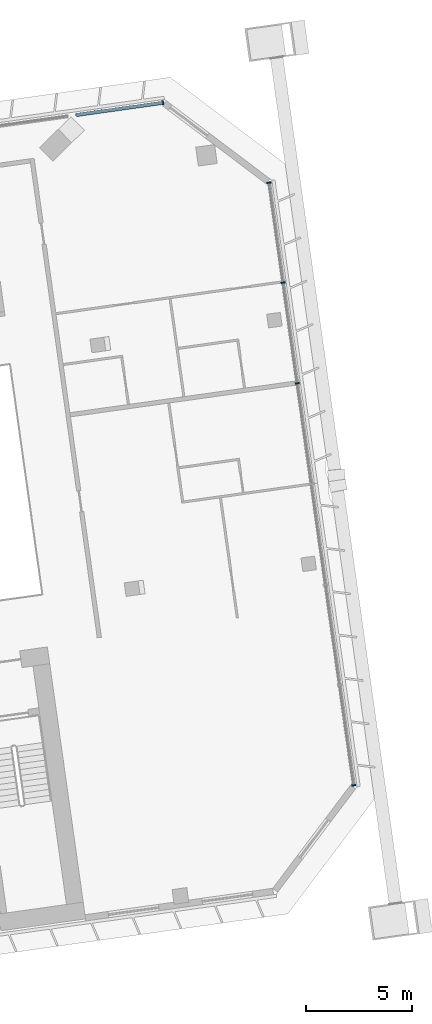
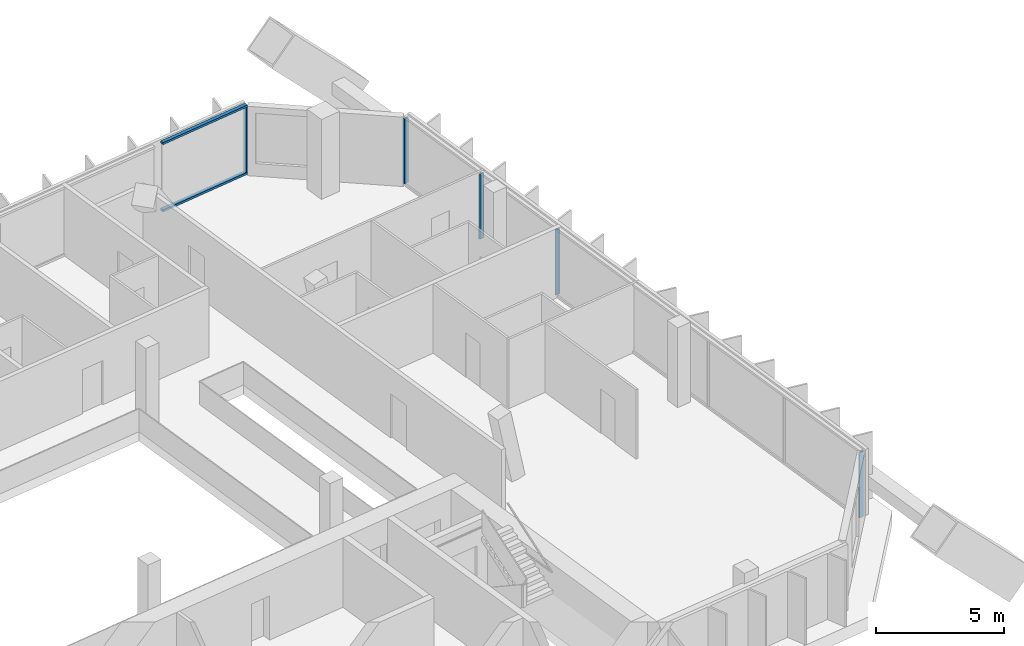
# One storey, part 15 of 34: 7 members, 2 elements without a shape of their own.
"""IFC4 building model written with IfcOpenShell, lengths in metres."""

from ifc_helpers import new_model, si_unit, direction, frame, origin, origin_2d, place, context, subcontext, project, spatial, rectangle, extrude, material, material_profile, profile_set, type_object, element, aggregate, save


model = new_model("IFC4")

# Units and contexts
model_context = context("Model", 3, precision=1e-05, world=origin(), true_north=direction((0.0, 1.0)))
body_context = subcontext(model_context, "Body", "Model", "MODEL_VIEW")
ifc_project = project(units=[si_unit("LENGTHUNIT", "METRE"), si_unit("AREAUNIT", "SQUARE_METRE"), si_unit("VOLUMEUNIT", "CUBIC_METRE"), si_unit("PLANEANGLEUNIT", "RADIAN"), si_unit("MASSUNIT", "GRAM", prefix="KILO")], contexts=[model_context])

# Site, building, storey
site_placement = place(None, origin())
site = spatial("IfcSite", under=ifc_project, at=site_placement, CompositionType="ELEMENT")
building_placement = place(site_placement, origin())
building = spatial("IfcBuilding", under=site, at=building_placement, Name="Mirante Cascada Hotel Towers", CompositionType="ELEMENT")
storey_placement = place(building_placement, frame((0.0, 0.0, 148.1)))
storey = spatial("IfcBuildingStorey", under=building, at=storey_placement, Name="L34", CompositionType="ELEMENT", Elevation=148.1)

# Curtain wall, members
ifc_material_1 = material(Name="Aluminium mullion and transom frame with clear laminated glass", Category="aluminium")
curtain_wall_type_1 = type_object("IfcCurtainWallType", Name="Ribbon curtain wall ECW1", PredefinedType="NOTDEFINED", material=ifc_material_1)
curtain_wall_1_placement = place(storey_placement, origin())
curtain_wall_1 = element("IfcCurtainWall", 1, at=curtain_wall_1_placement, inside=storey, type_object=curtain_wall_type_1, Name="Front ribbon wall T2 L34", PredefinedType="NOTDEFINED")
ifc_material_2 = material(Name="Anodised aluminium extrusion", Category="aluminium")
ifc_material_profile_1 = material_profile(ifc_material_2, rectangle(XDim=0.2, YDim=0.065, at=origin_2d()), Name="ECW1 MULLION 65x200")
ifc_profile_set_1 = profile_set([ifc_material_profile_1], Name="Anodised aluminium extrusion")
member_type_1 = type_object("IfcMemberType", Name="ECW1 mullion 65x200", PredefinedType="MULLION", material=ifc_profile_set_1)
member_1_placement = place(storey_placement, frame((94.126, 26.0476, 0.1), z_axis=(0.0, 0.0, 1.0), x_axis=(0.1391731, -0.9902681, 0.0)))
member_1 = element("IfcMember", 2, at=member_1_placement, type_object=member_type_1, Name="ECW1 mullion 1", PredefinedType="MULLION", context=body_context, shape_type="SweptSolid", body=[
    extrude(rectangle(XDim=0.2, YDim=0.065, at=origin_2d()), origin(), (0.0, 0.0, 1.0), 3.1),
])
ifc_material_3 = material(Name="Anodised aluminium extrusion", Category="aluminium")
ifc_material_profile_2 = material_profile(ifc_material_3, rectangle(XDim=0.16, YDim=0.1, at=origin_2d()), Name="ECW1 TRANSOM 100x160")
ifc_profile_set_2 = profile_set([ifc_material_profile_2], Name="Anodised aluminium extrusion")
member_type_2 = type_object("IfcMemberType", Name="ECW1 transom 100x160", PredefinedType="USERDEFINED", material=ifc_profile_set_2)
member_2_placement = place(storey_placement, frame((94.1582, 26.0521, 0.05), z_axis=(-0.9902685, -0.1391698, 0.0), x_axis=(0.1391698, -0.9902685, 0.0)))
member_2 = element("IfcMember", 3, at=member_2_placement, type_object=member_type_2, Name="ECW1 sill transom", ObjectType="TRANSOM", PredefinedType="USERDEFINED", context=body_context, shape_type="SweptSolid", body=[
    extrude(rectangle(XDim=0.16, YDim=0.1, at=origin_2d()), origin(), (0.0, 0.0, 1.0), 4.1791),
])
member_3_placement = place(storey_placement, frame((94.1582, 26.0521, 3.25), z_axis=(-0.9902685, -0.1391698, 0.0), x_axis=(0.1391698, -0.9902685, 0.0)))
member_3 = element("IfcMember", 4, at=member_3_placement, type_object=member_type_2, Name="ECW1 head transom", ObjectType="TRANSOM", PredefinedType="USERDEFINED", context=body_context, shape_type="SweptSolid", body=[
    extrude(rectangle(XDim=0.16, YDim=0.1, at=origin_2d()), origin(), (0.0, 0.0, 1.0), 4.1791),
])
aggregate(curtain_wall_1, [member_2, member_3, member_1])

ifc_material_4 = material(Name="Aluminium mullion and transom frame with clear laminated glass", Category="aluminium")
curtain_wall_type_2 = type_object("IfcCurtainWallType", Name="End ribbon curtain wall ECW2", PredefinedType="NOTDEFINED", material=ifc_material_4)
curtain_wall_2_placement = place(storey_placement, origin())
curtain_wall_2 = element("IfcCurtainWall", 5, at=curtain_wall_2_placement, inside=storey, type_object=curtain_wall_type_2, Name="Outer end wall T2 L34", PredefinedType="NOTDEFINED")
ifc_material_5 = material(Name="Anodised aluminium extrusion", Category="aluminium")
ifc_material_profile_3 = material_profile(ifc_material_5, rectangle(XDim=0.2, YDim=0.065, at=origin_2d()), Name="ECW2 MULLION 65x200")
ifc_profile_set_3 = profile_set([ifc_material_profile_3], Name="Anodised aluminium extrusion")
member_type_3 = type_object("IfcMemberType", Name="ECW2 mullion 65x200", PredefinedType="MULLION", material=ifc_profile_set_3)
member_4_placement = place(storey_placement, frame((103.1556, -6.2656, 0.1), z_axis=(0.0, 0.0, 1.0), x_axis=(-0.9902681, -0.1391731, 0.0)))
member_4 = element("IfcMember", 6, at=member_4_placement, type_object=member_type_3, Name="ECW2 mullion 1", PredefinedType="MULLION", context=body_context, shape_type="SweptSolid", body=[
    extrude(rectangle(XDim=0.2, YDim=0.065, at=origin_2d()), origin(), (0.0, 0.0, 1.0), 3.1),
])
member_5_placement = place(storey_placement, frame((100.481, 12.7654, 0.1), z_axis=(0.0, 0.0, 1.0), x_axis=(-0.9902681, -0.1391731, 0.0)))
member_5 = element("IfcMember", 7, at=member_5_placement, type_object=member_type_3, Name="ECW2 mullion 5", PredefinedType="MULLION", context=body_context, shape_type="SweptSolid", body=[
    extrude(rectangle(XDim=0.2, YDim=0.065, at=origin_2d()), origin(), (0.0, 0.0, 1.0), 3.1),
])
member_6_placement = place(storey_placement, frame((99.8112, 17.5312, 0.1), z_axis=(0.0, 0.0, 1.0), x_axis=(-0.9902681, -0.1391731, 0.0)))
member_6 = element("IfcMember", 8, at=member_6_placement, type_object=member_type_3, Name="ECW2 mullion 6", PredefinedType="MULLION", context=body_context, shape_type="SweptSolid", body=[
    extrude(rectangle(XDim=0.2, YDim=0.065, at=origin_2d()), origin(), (0.0, 0.0, 1.0), 3.1),
])
member_7_placement = place(storey_placement, frame((99.1459, 22.2648, 0.1), z_axis=(0.0, 0.0, 1.0), x_axis=(-0.9902681, -0.1391731, 0.0)))
member_7 = element("IfcMember", 9, at=member_7_placement, type_object=member_type_3, Name="ECW2 mullion 7", PredefinedType="MULLION", context=body_context, shape_type="SweptSolid", body=[
    extrude(rectangle(XDim=0.2, YDim=0.065, at=origin_2d()), origin(), (0.0, 0.0, 1.0), 3.1),
])
aggregate(curtain_wall_2, [member_4, member_5, member_6, member_7])

save(model, "model.ifc")
